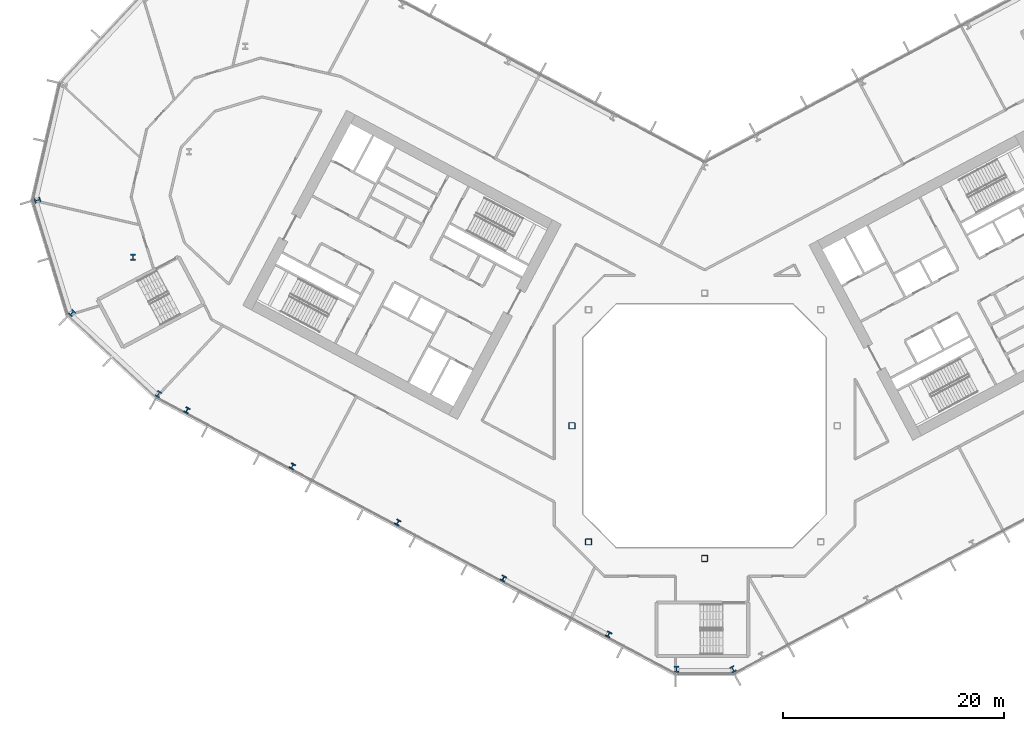
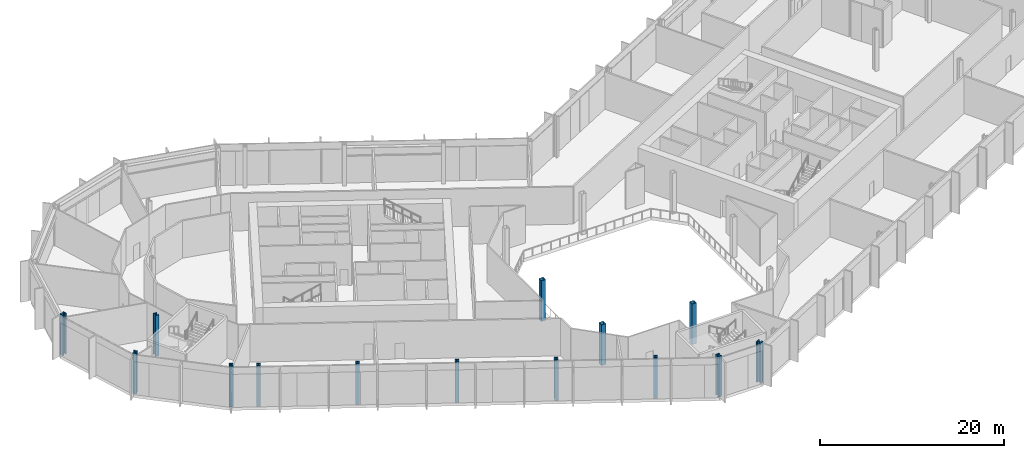
# One storey, part 1 of 31: 14 columns.
"""IFC4 building model written with IfcOpenShell, lengths in metres."""

from ifc_helpers import new_model, si_unit, direction, frame, origin, origin_2d, place, context, subcontext, project, spatial, hollow_rectangle, i_section, extrude, material, material_profile, profile_set, type_object, element, save


model = new_model("IFC4")

# Units and contexts
model_context = context("Model", 3, precision=1e-05, world=origin(), true_north=direction((0.0, 1.0)))
body_context = subcontext(model_context, "Body", "Model", "MODEL_VIEW")
ifc_project = project(units=[si_unit("LENGTHUNIT", "METRE"), si_unit("AREAUNIT", "SQUARE_METRE"), si_unit("VOLUMEUNIT", "CUBIC_METRE"), si_unit("PLANEANGLEUNIT", "RADIAN"), si_unit("MASSUNIT", "GRAM", prefix="KILO")], contexts=[model_context])

# Site, building, storey
site_placement = place(None, origin())
site = spatial("IfcSite", under=ifc_project, at=site_placement, CompositionType="ELEMENT")
building_placement = place(site_placement, origin())
building = spatial("IfcBuilding", under=site, at=building_placement, Name="Cormorant Relay Tower", CompositionType="ELEMENT")
storey_placement = place(building_placement, frame((0.0, 0.0, 50.0)))
storey = spatial("IfcBuildingStorey", under=building, at=storey_placement, Name="L09", CompositionType="ELEMENT", Elevation=50.0)

# Columns
ifc_material_1 = material(Name="Steel ASTM A1085 Grade A (Fy 345 MPa)", Category="steel")
ifc_material_profile_1 = material_profile(ifc_material_1, hollow_rectangle(XDim=0.558837890625, YDim=0.558837890625, WallThickness=0.023681640625, InnerFilletRadius=0.01171875, OuterFilletRadius=0.035400390625, at=origin_2d()), Name="HSS559x559x24")
ifc_profile_set_1 = profile_set([ifc_material_profile_1], Name="Steel ASTM A1085 Grade A (Fy 345 MPa)")
column_type_1 = type_object("IfcColumnType", Name="Column HSS559x559x24", PredefinedType="COLUMN", material=ifc_profile_set_1)
for number, where, z_axis, x_axis, name in (
    (1, (0.0, -12.0, 0.0), (0.0, 0.0, 1.0), (1.0, 0.0, 0.0), "Column L09-007"),
    (2, (-10.5, -10.5, 0.0), (0.0, 0.0, 1.0), (1.0, 0.0, 0.0), "Column L09-009"),
    (3, (-12.0, 0.0, 0.0), (0.0, 0.0, 1.0), (1.0, 0.0, 0.0), "Column L09-015"),
):
    element("IfcColumn", number, at=place(storey_placement, frame(where, z_axis=z_axis, x_axis=x_axis)), inside=storey, type_object=column_type_1, Name=name, PredefinedType="COLUMN", context=body_context, shape_type="SweptSolid", body=[
        extrude(hollow_rectangle(XDim=0.558837890625, YDim=0.558837890625, WallThickness=0.023681640625, InnerFilletRadius=0.01171875, OuterFilletRadius=0.035400390625, at=origin_2d()), origin(), (0.0, 0.0, 1.0), 5.39990234375),
    ])
ifc_material_2 = material(Name="Steel ASTM A992 (Fy 345 MPa)", Category="steel")
ifc_material_profile_2 = material_profile(ifc_material_2, i_section(OverallWidth=0.45458984375, OverallDepth=0.569091796875, WebThickness=0.077880859375, FlangeThickness=0.124755859375, FilletRadius=0.015380859375, at=origin_2d()), Name="W360x1086")
ifc_profile_set_2 = profile_set([ifc_material_profile_2], Name="Steel ASTM A992 (Fy 345 MPa)")
column_type_2 = type_object("IfcColumnType", Name="Column W360x1086", PredefinedType="COLUMN", material=ifc_profile_set_2)
for number, where, z_axis, x_axis, name in (
    (4, (-2.55908203125, -22.01708984375, 0.0), (0.0, 0.0, 1.0), (1.0, 0.0, 0.0), "Column L09-001"),
    (5, (2.55908203125, -22.01708984375, 0.0), (0.0, 0.0, 1.0), (0.882947592859, 0.469471562786, 0.0), "Column L09-002"),
    (6, (-49.39404296875, 2.861083984375, 0.0), (0.0, 0.0, 1.0), (0.882947592859, -0.469471562786, 0.0), "Column L09-018"),
    (7, (-57.218994140625, 10.198974609375, 0.0), (0.0, 0.0, 1.0), (0.731353701619, -0.681998360062, 0.0), "Column L09-021"),
    (8, (-51.68994140625, 15.251953125, 0.0), (0.0, 0.0, 1.0), (1.0, 0.0, 0.0), "Column L09-027"),
    (9, (-60.340087890625, 20.406982421875, 0.0), (0.0, 0.0, 1.0), (0.292371704723, -0.956304755963, 0.0), "Column L09-030"),
):
    element("IfcColumn", number, at=place(storey_placement, frame(where, z_axis=z_axis, x_axis=x_axis)), inside=storey, type_object=column_type_2, Name=name, PredefinedType="COLUMN", context=body_context, shape_type="SweptSolid", body=[
        extrude(i_section(OverallWidth=0.45458984375, OverallDepth=0.569091796875, WebThickness=0.077880859375, FlangeThickness=0.124755859375, FilletRadius=0.015380859375, at=origin_2d()), origin(), (0.0, 0.0, 1.0), 5.39990234375),
    ])
ifc_material_3 = material(Name="Steel ASTM A992 (Fy 345 MPa)", Category="steel")
ifc_material_profile_3 = material_profile(ifc_material_3, i_section(OverallWidth=0.43701171875, OverallDepth=0.51318359375, WebThickness=0.060546875, FlangeThickness=0.096923828125, FilletRadius=0.015380859375, at=origin_2d()), Name="W360x818")
ifc_profile_set_3 = profile_set([ifc_material_profile_3], Name="Steel ASTM A992 (Fy 345 MPa)")
column_type_3 = type_object("IfcColumnType", Name="Column W360x818", PredefinedType="COLUMN", material=ifc_profile_set_3)
for number, where, z_axis, x_axis, name in (
    (10, (-8.677001953125, -18.8759765625, 0.0), (0.0, 0.0, 1.0), (0.882947592859, -0.469471562786, 0.0), "Column L09-004"),
    (11, (-18.212890625, -13.804931640625, 0.0), (0.0, 0.0, 1.0), (0.882947592859, -0.469471562786, 0.0), "Column L09-006"),
    (12, (-27.7490234375, -8.735107421875, 0.0), (0.0, 0.0, 1.0), (0.882947592859, -0.469471562786, 0.0), "Column L09-011"),
    (13, (-37.284912109375, -3.6650390625, 0.0), (0.0, 0.0, 1.0), (0.882947592859, -0.469471562786, 0.0), "Column L09-013"),
    (14, (-46.821044921875, 1.405029296875, 0.0), (0.0, 0.0, 1.0), (0.882947592859, -0.469471562786, 0.0), "Column L09-017"),
):
    element("IfcColumn", number, at=place(storey_placement, frame(where, z_axis=z_axis, x_axis=x_axis)), inside=storey, type_object=column_type_3, Name=name, PredefinedType="COLUMN", context=body_context, shape_type="SweptSolid", body=[
        extrude(i_section(OverallWidth=0.43701171875, OverallDepth=0.51318359375, WebThickness=0.060546875, FlangeThickness=0.096923828125, FilletRadius=0.015380859375, at=origin_2d()), origin(), (0.0, 0.0, 1.0), 5.39990234375),
    ])

save(model, "model.ifc")
